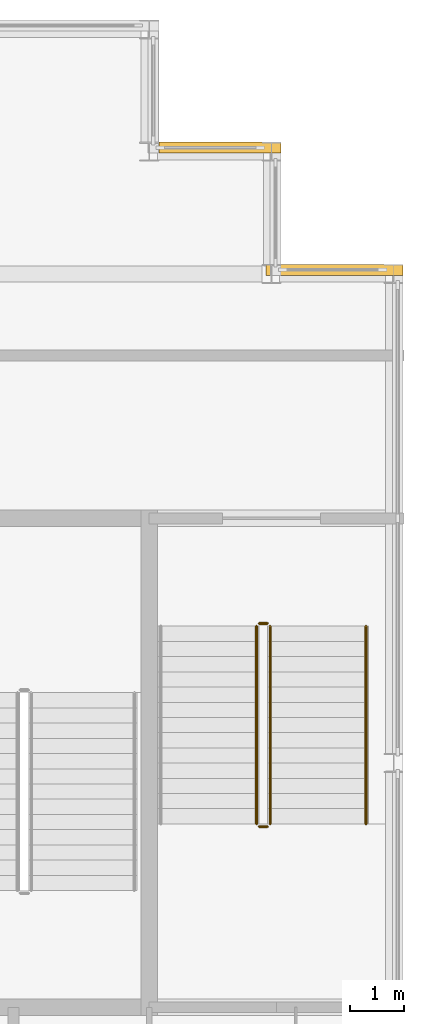
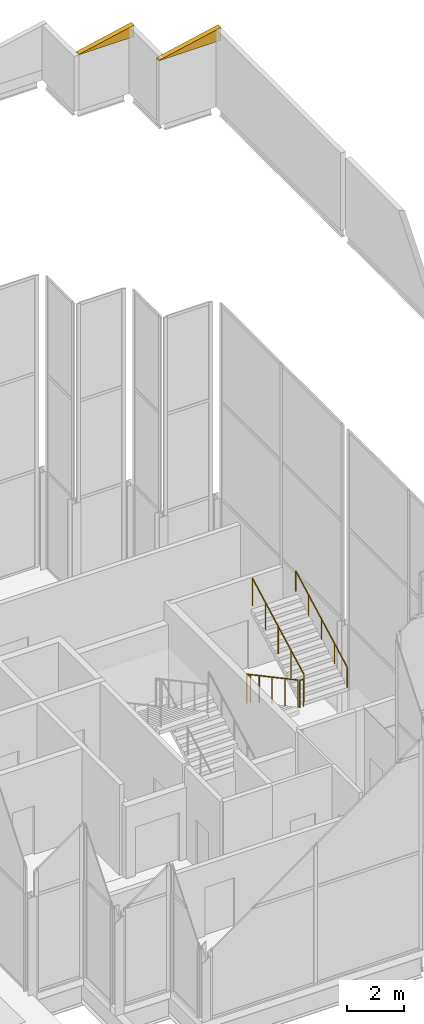
# One storey, part 23 of 23: 5 railings, 2 coverings.
"""IFC4 building model written with IfcOpenShell, lengths in metres."""

from ifc_helpers import new_model, si_unit, direction, frame, origin, origin_2d, place, context, subcontext, project, spatial, polyline, circle, outline, extrude, material, layer, layer_set, type_object, element, save


model = new_model("IFC4")

# Units and contexts
model_context = context("Model", 3, precision=1e-05, world=origin(), true_north=direction((0.0, 1.0)))
body_context = subcontext(model_context, "Body", "Model", "MODEL_VIEW")
ifc_project = project(units=[si_unit("LENGTHUNIT", "METRE"), si_unit("AREAUNIT", "SQUARE_METRE"), si_unit("VOLUMEUNIT", "CUBIC_METRE"), si_unit("PLANEANGLEUNIT", "RADIAN"), si_unit("MASSUNIT", "GRAM", prefix="KILO")], contexts=[model_context])

# Site, building, storey
site_placement = place(None, origin())
site = spatial("IfcSite", under=ifc_project, at=site_placement, CompositionType="ELEMENT")
building_placement = place(site_placement, origin())
building = spatial("IfcBuilding", under=site, at=building_placement, Name="Caravel Reach Hotel and Residences", CompositionType="ELEMENT")
storey_placement = place(building_placement, frame((0.0, 0.0, 312.800048828125)))
storey = spatial("IfcBuildingStorey", under=building, at=storey_placement, Name="L79", CompositionType="ELEMENT", Elevation=312.800048828125)

# Coverings
ifc_material_1 = material(Name="Insulated rainscreen wall, aluminium cladding", Category="aluminium")
ifc_layer = layer(ifc_material_1, 0.199951171875)
ifc_layer_set = layer_set([ifc_layer], Name="GC1 Crown gable closure 200")
covering_type = type_object("IfcCoveringType", Name="GC1 Crown gable closure 200", PredefinedType="CLADDING", material=ifc_layer_set)
covering_1_placement = place(storey_placement, frame((49.675048828125, 36.074951171875, 23.806396484375), z_axis=(0.0, 0.0, 1.0), x_axis=(-1.0, 0.0, 0.0)))
element("IfcCovering", 1, at=covering_1_placement, inside=storey, type_object=covering_type, Name="Crown gable closure east 6.1", PredefinedType="CLADDING", context=body_context, shape_type="SweptSolid", body=[
    extrude(outline(polyline([(0.0, 0.0), (2.525146484375, 0.0), (2.52490234375, 0.02001953125), (0.0, 0.556884765625), (0.0, 0.0)])), frame((0.0, 0.10009765625, 0.0), z_axis=(0.0, -1.0, 0.0), x_axis=(1.0, 0.0, 0.0)), (0.0, 0.0, 1.0), 0.199951171875),
])
covering_2_placement = place(storey_placement, frame((47.425048828125, 38.324951171875, 23.38671875), z_axis=(0.0, 0.0, 1.0), x_axis=(-1.0, 0.0, 0.0)))
element("IfcCovering", 2, at=covering_2_placement, inside=storey, type_object=covering_type, Name="Crown gable closure east 8.1", PredefinedType="CLADDING", context=body_context, shape_type="SweptSolid", body=[
    extrude(outline(polyline([(0.0, 0.0), (2.25, 0.0), (2.25, 0.02001953125), (0.0, 0.498291015625), (0.0, 0.0)])), frame((0.0, 0.10009765625, 0.0), z_axis=(0.0, -1.0, 0.0), x_axis=(1.0, 0.0, 0.0)), (0.0, 0.0, 1.0), 0.199951171875),
])

# Railings
ifc_material_2 = material(Name="Steel balustrade with glass infill", Category="steel")
railing_type_1 = type_object("IfcRailingType", Name="Guard 1200", PredefinedType="GUARDRAIL", material=ifc_material_2)
railing_1_placement = place(storey_placement, frame((46.97509765625, 29.514892578125, 0.14990234375)))
element("IfcRailing", 3, at=railing_1_placement, inside=storey, type_object=railing_type_1, Name="L79 ST-C stair guard 1", PredefinedType="GUARDRAIL", context=body_context, shape_type="SweptSolid", body=[
    extrude(circle(Radius=0.02392578125, at=origin_2d()), frame((0.0, 0.0, 1.17578125), z_axis=(0.0, -0.881479091078, 0.472223053219), x_axis=(1.0, 0.0, 0.0)), (0.0, 0.0, 1.0), 4.12939453125),
    extrude(circle(Radius=0.02099609375, at=origin_2d()), origin(), (0.0, 0.0, 1.0), 1.15185546875),
    extrude(circle(Radius=0.02099609375, at=origin_2d()), frame((0.0, -0.909912109375, 0.487548828125)), (0.0, 0.0, 1.0), 1.15185546875),
    extrude(circle(Radius=0.02099609375, at=origin_2d()), frame((0.0, -1.81982421875, 0.97509765625)), (0.0, 0.0, 1.0), 1.15185546875),
    extrude(circle(Radius=0.02099609375, at=origin_2d()), frame((0.0, -2.72998046875, 1.46240234375)), (0.0, 0.0, 1.0), 1.15185546875),
    extrude(circle(Radius=0.02099609375, at=origin_2d()), frame((0.0, -3.639892578125, 1.949951171875)), (0.0, 0.0, 1.0), 1.15185546875),
])
railing_2_placement = place(storey_placement, frame((47.02490234375, 25.824951171875, 2.099853515625)))
element("IfcRailing", 4, at=railing_2_placement, inside=storey, type_object=railing_type_1, Name="L79 ST-C stair guard 2", PredefinedType="GUARDRAIL", context=body_context, shape_type="SweptSolid", body=[
    extrude(circle(Radius=0.02392578125, at=origin_2d()), frame((0.0, 0.0, 1.17578125), z_axis=(1.0, 0.0, 0.0), x_axis=(0.0, 1.0, 0.0)), (0.0, 0.0, 1.0), 0.150146484375),
    extrude(circle(Radius=0.02099609375, at=origin_2d()), origin(), (0.0, 0.0, 1.0), 1.15185546875),
    extrude(circle(Radius=0.02099609375, at=origin_2d()), frame((0.150146484375, 0.0, 0.0)), (0.0, 0.0, 1.0), 1.15185546875),
])
railing_3_placement = place(storey_placement, frame((47.22509765625, 25.875, 2.25)))
element("IfcRailing", 5, at=railing_3_placement, inside=storey, type_object=railing_type_1, Name="L79 ST-C stair guard 3", PredefinedType="GUARDRAIL", context=body_context, shape_type="SweptSolid", body=[
    extrude(circle(Radius=0.02392578125, at=origin_2d()), frame((0.0, 0.0, 1.17578125), z_axis=(0.0, 0.881479091078, 0.472223053219), x_axis=(-1.0, 0.0, 0.0)), (0.0, 0.0, 1.0), 4.12939453125),
    extrude(circle(Radius=0.02099609375, at=origin_2d()), origin(), (0.0, 0.0, 1.0), 1.15185546875),
    extrude(circle(Radius=0.02099609375, at=origin_2d()), frame((0.0, 0.909912109375, 0.487548828125)), (0.0, 0.0, 1.0), 1.15185546875),
    extrude(circle(Radius=0.02099609375, at=origin_2d()), frame((0.0, 1.81982421875, 0.97509765625)), (0.0, 0.0, 1.0), 1.15185546875),
    extrude(circle(Radius=0.02099609375, at=origin_2d()), frame((0.0, 2.72998046875, 1.46240234375)), (0.0, 0.0, 1.0), 1.15185546875),
    extrude(circle(Radius=0.02099609375, at=origin_2d()), frame((0.0, 3.639892578125, 1.949951171875)), (0.0, 0.0, 1.0), 1.15185546875),
])
railing_4_placement = place(storey_placement, frame((47.02490234375, 29.56494140625, 0.0)))
element("IfcRailing", 6, at=railing_4_placement, inside=storey, type_object=railing_type_1, Name="L79 ST-C stair guard 4", PredefinedType="GUARDRAIL", context=body_context, shape_type="SweptSolid", body=[
    extrude(circle(Radius=0.02392578125, at=origin_2d()), frame((0.0, 0.0, 1.17578125), z_axis=(1.0, 0.0, 0.0), x_axis=(0.0, 1.0, 0.0)), (0.0, 0.0, 1.0), 0.150146484375),
    extrude(circle(Radius=0.02099609375, at=origin_2d()), origin(), (0.0, 0.0, 1.0), 1.15185546875),
    extrude(circle(Radius=0.02099609375, at=origin_2d()), frame((0.150146484375, 0.0, 0.0)), (0.0, 0.0, 1.0), 1.15185546875),
])
ifc_material_3 = material(Name="Stainless steel handrail", Category="steel")
railing_type_2 = type_object("IfcRailingType", Name="Handrail 900", PredefinedType="HANDRAIL", material=ifc_material_3)
railing_5_placement = place(storey_placement, frame((48.989990234375, 25.875, 2.25)))
element("IfcRailing", 7, at=railing_5_placement, inside=storey, type_object=railing_type_2, Name="L79 ST-C stair handrail 2", PredefinedType="HANDRAIL", context=body_context, shape_type="SweptSolid", body=[
    extrude(circle(Radius=0.02392578125, at=origin_2d()), frame((0.0, 0.0, 0.8759765625), z_axis=(0.0, 0.881479091078, 0.472223053219), x_axis=(-1.0, 0.0, 0.0)), (0.0, 0.0, 1.0), 4.12939453125),
    extrude(circle(Radius=0.02099609375, at=origin_2d()), origin(), (0.0, 0.0, 1.0), 0.851806640625),
    extrude(circle(Radius=0.02099609375, at=origin_2d()), frame((0.0, 0.909912109375, 0.487548828125)), (0.0, 0.0, 1.0), 0.851806640625),
    extrude(circle(Radius=0.02099609375, at=origin_2d()), frame((0.0, 1.81982421875, 0.97509765625)), (0.0, 0.0, 1.0), 0.851806640625),
    extrude(circle(Radius=0.02099609375, at=origin_2d()), frame((0.0, 2.72998046875, 1.46240234375)), (0.0, 0.0, 1.0), 0.851806640625),
    extrude(circle(Radius=0.02099609375, at=origin_2d()), frame((0.0, 3.639892578125, 1.949951171875)), (0.0, 0.0, 1.0), 0.851806640625),
])

save(model, "model.ifc")
